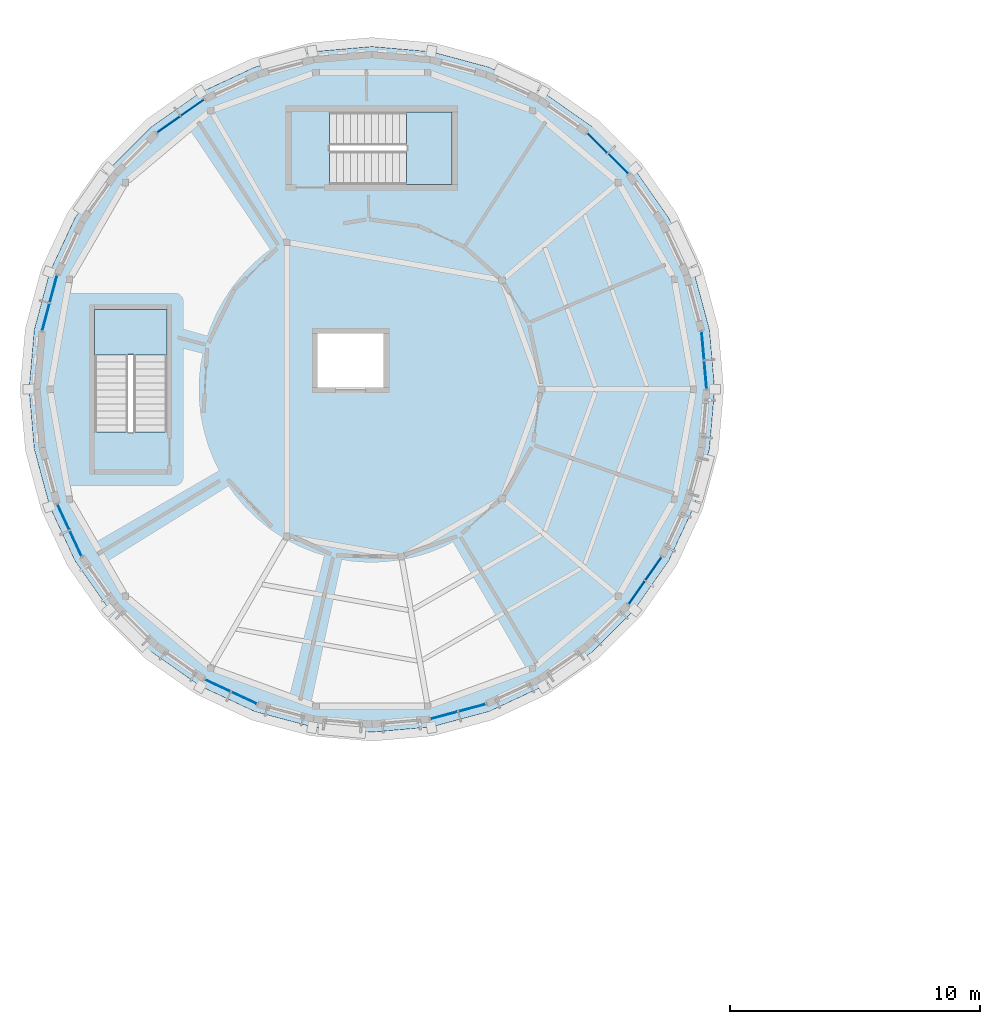
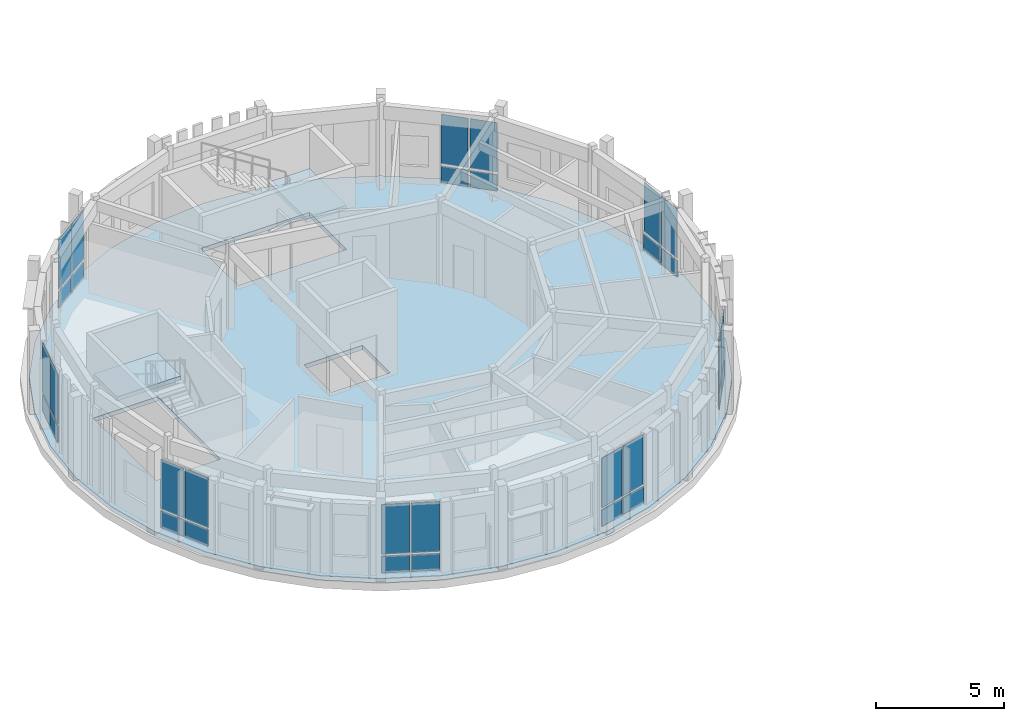
# One storey, part 10 of 30: 32 plates, 3 slabs, 10 elements without a shape of their own.
"""IFC4 building model written with IfcOpenShell, lengths in metres."""

from ifc_helpers import new_model, si_unit, direction, frame, origin, origin_2d, place, context, subcontext, project, spatial, polyline, rectangle, outline, extrude, material, layer, layer_set, type_object, element, aggregate, save


model = new_model("IFC4")

# Units and contexts
model_context = context("Model", 3, precision=1e-05, world=origin(), true_north=direction((0.0, 1.0)))
body_context = subcontext(model_context, "Body", "Model", "MODEL_VIEW")
ifc_project = project(units=[si_unit("LENGTHUNIT", "METRE"), si_unit("AREAUNIT", "SQUARE_METRE"), si_unit("VOLUMEUNIT", "CUBIC_METRE"), si_unit("PLANEANGLEUNIT", "RADIAN"), si_unit("MASSUNIT", "GRAM", prefix="KILO")], contexts=[model_context])

# Site, building, storey
site_placement = place(None, origin())
site = spatial("IfcSite", under=ifc_project, at=site_placement, CompositionType="ELEMENT")
building_placement = place(site_placement, origin())
building = spatial("IfcBuilding", under=site, at=building_placement, Name="Aldenvaro Health Centre", CompositionType="ELEMENT")
storey_placement = place(building_placement, frame((0.0, 0.0, 17.14990234375)))
storey = spatial("IfcBuildingStorey", under=building, at=storey_placement, Name="L04", CompositionType="ELEMENT", Elevation=17.14990234375)

# Curtain wall, plates
ifc_material_1 = material(Name="Anodised Aluminium 6063-T6", Category="aluminium")
ifc_layer_1 = layer(ifc_material_1, 0.22509765625, Name="Anodised Aluminium 6063-T6", Category="aluminium")
ifc_layer_set_1 = layer_set([ifc_layer_1], Name="Anodised Aluminium 6063-T6")
curtain_wall_type = type_object("IfcCurtainWallType", Name="CW-TER-04", PredefinedType="NOTDEFINED", material=ifc_layer_set_1)
curtain_wall_1_placement = place(storey_placement, origin())
curtain_wall_1 = element("IfcCurtainWall", 1, at=curtain_wall_1_placement, inside=storey, type_object=curtain_wall_type, Name="D4 L04 curtain wall bay 04", PredefinedType="NOTDEFINED")
ifc_material_2 = material(Name="Low-E Double Glazing IGU", Category="glass")
ifc_layer_2 = layer(ifc_material_2, 0.028076171875, Name="Low-E Double Glazing IGU", Category="glass")
ifc_layer_set_2 = layer_set([ifc_layer_2], Name="Low-E Double Glazing IGU")
plate_type_1 = type_object("IfcPlateType", Name="CWP-IGU-28", PredefinedType="CURTAIN_PANEL", material=ifc_layer_set_2)
plate_1_placement = place(storey_placement, frame((29.77001953125, 92.322021484375, 0.95947265625), z_axis=(0.0, 0.0, 1.0), x_axis=(-0.573720929857, -0.819050849853, 0.0)))
plate_1 = element("IfcPlate", 2, at=plate_1_placement, type_object=plate_type_1, Name="D4 L04 curtain wall bay 04 vision glazing 1", PredefinedType="CURTAIN_PANEL", context=body_context, shape_type="SweptSolid", body=[
    extrude(rectangle(XDim=1.097900390625, YDim=0.028076171875, at=origin_2d()), origin(), (0.0, 0.0, 1.0), 2.34912109375),
])
plate_2_placement = place(storey_placement, frame((29.10009765625, 91.364990234375, 0.95947265625), z_axis=(0.0, 0.0, 1.0), x_axis=(-0.573720929857, -0.819050849853, 0.0)))
plate_2 = element("IfcPlate", 3, at=plate_2_placement, type_object=plate_type_1, Name="D4 L04 curtain wall bay 04 vision glazing 2", PredefinedType="CURTAIN_PANEL", context=body_context, shape_type="SweptSolid", body=[
    extrude(rectangle(XDim=1.097900390625, YDim=0.028076171875, at=origin_2d()), origin(), (0.0, 0.0, 1.0), 2.34912109375),
])

curtain_wall_2_placement = place(storey_placement, origin())
curtain_wall_2 = element("IfcCurtainWall", 4, at=curtain_wall_2_placement, inside=storey, type_object=curtain_wall_type, Name="D4 L04 curtain wall bay 08", PredefinedType="NOTDEFINED")
plate_3_placement = place(storey_placement, frame((22.51904296875, 86.757080078125, 0.95947265625), z_axis=(0.0, 0.0, 1.0), x_axis=(-0.965978620089, -0.258621935517, 0.0)))
plate_3 = element("IfcPlate", 5, at=plate_3_placement, type_object=plate_type_1, Name="D4 L04 curtain wall bay 08 vision glazing 1", PredefinedType="CURTAIN_PANEL", context=body_context, shape_type="SweptSolid", body=[
    extrude(rectangle(XDim=1.097900390625, YDim=0.028076171875, at=origin_2d()), origin(), (0.0, 0.0, 1.0), 2.34912109375),
])
plate_4_placement = place(storey_placement, frame((21.39111328125, 86.455078125, 0.95947265625), z_axis=(0.0, 0.0, 1.0), x_axis=(-0.965978620089, -0.258621935517, 0.0)))
plate_4 = element("IfcPlate", 6, at=plate_4_placement, type_object=plate_type_1, Name="D4 L04 curtain wall bay 08 vision glazing 2", PredefinedType="CURTAIN_PANEL", context=body_context, shape_type="SweptSolid", body=[
    extrude(rectangle(XDim=1.097900390625, YDim=0.028076171875, at=origin_2d()), origin(), (0.0, 0.0, 1.0), 2.34912109375),
])

curtain_wall_3_placement = place(storey_placement, origin())
curtain_wall_3 = element("IfcCurtainWall", 7, at=curtain_wall_3_placement, inside=storey, type_object=curtain_wall_type, Name="D4 L04 curtain wall bay 12", PredefinedType="NOTDEFINED")
plate_5_placement = place(storey_placement, frame((13.387939453125, 87.155029296875, 0.95947265625), z_axis=(0.0, 0.0, 1.0), x_axis=(-0.90633620484, 0.422557314215, 0.0)))
plate_5 = element("IfcPlate", 8, at=plate_5_placement, type_object=plate_type_1, Name="D4 L04 curtain wall bay 12 vision glazing 1", PredefinedType="CURTAIN_PANEL", context=body_context, shape_type="SweptSolid", body=[
    extrude(rectangle(XDim=1.097900390625, YDim=0.028076171875, at=origin_2d()), origin(), (0.0, 0.0, 1.0), 2.34912109375),
])
plate_6_placement = place(storey_placement, frame((12.3291015625, 87.64794921875, 0.95947265625), z_axis=(0.0, 0.0, 1.0), x_axis=(-0.90633620484, 0.422557314215, 0.0)))
plate_6 = element("IfcPlate", 9, at=plate_6_placement, type_object=plate_type_1, Name="D4 L04 curtain wall bay 12 vision glazing 2", PredefinedType="CURTAIN_PANEL", context=body_context, shape_type="SweptSolid", body=[
    extrude(rectangle(XDim=1.097900390625, YDim=0.028076171875, at=origin_2d()), origin(), (0.0, 0.0, 1.0), 2.34912109375),
])

curtain_wall_4_placement = place(storey_placement, origin())
curtain_wall_4 = element("IfcCurtainWall", 10, at=curtain_wall_4_placement, inside=storey, type_object=curtain_wall_type, Name="D4 L04 curtain wall bay 16", PredefinedType="NOTDEFINED")
plate_7_placement = place(storey_placement, frame((6.64794921875, 93.3291015625, 0.95947265625), z_axis=(0.0, 0.0, 1.0), x_axis=(-0.422557314215, 0.90633620484, 0.0)))
plate_7 = element("IfcPlate", 11, at=plate_7_placement, type_object=plate_type_1, Name="D4 L04 curtain wall bay 16 vision glazing 1", PredefinedType="CURTAIN_PANEL", context=body_context, shape_type="SweptSolid", body=[
    extrude(rectangle(XDim=1.097900390625, YDim=0.028076171875, at=origin_2d()), origin(), (0.0, 0.0, 1.0), 2.34912109375),
])
plate_8_placement = place(storey_placement, frame((6.155029296875, 94.387939453125, 0.95947265625), z_axis=(0.0, 0.0, 1.0), x_axis=(-0.422557314215, 0.90633620484, 0.0)))
plate_8 = element("IfcPlate", 12, at=plate_8_placement, type_object=plate_type_1, Name="D4 L04 curtain wall bay 16 vision glazing 2", PredefinedType="CURTAIN_PANEL", context=body_context, shape_type="SweptSolid", body=[
    extrude(rectangle(XDim=1.097900390625, YDim=0.028076171875, at=origin_2d()), origin(), (0.0, 0.0, 1.0), 2.34912109375),
])

curtain_wall_5_placement = place(storey_placement, origin())
curtain_wall_5 = element("IfcCurtainWall", 13, at=curtain_wall_5_placement, inside=storey, type_object=curtain_wall_type, Name="D4 L04 curtain wall bay 20", PredefinedType="NOTDEFINED")
plate_9_placement = place(storey_placement, frame((5.455078125, 102.39111328125, 0.95947265625), z_axis=(0.0, 0.0, 1.0), x_axis=(0.258621935517, 0.965978620089, 0.0)))
plate_9 = element("IfcPlate", 14, at=plate_9_placement, type_object=plate_type_1, Name="D4 L04 curtain wall bay 20 vision glazing 1", PredefinedType="CURTAIN_PANEL", context=body_context, shape_type="SweptSolid", body=[
    extrude(rectangle(XDim=1.097900390625, YDim=0.028076171875, at=origin_2d()), origin(), (0.0, 0.0, 1.0), 2.34912109375),
])
plate_10_placement = place(storey_placement, frame((5.757080078125, 103.51904296875, 0.95947265625), z_axis=(0.0, 0.0, 1.0), x_axis=(0.258621935517, 0.965978620089, 0.0)))
plate_10 = element("IfcPlate", 15, at=plate_10_placement, type_object=plate_type_1, Name="D4 L04 curtain wall bay 20 vision glazing 2", PredefinedType="CURTAIN_PANEL", context=body_context, shape_type="SweptSolid", body=[
    extrude(rectangle(XDim=1.097900390625, YDim=0.028076171875, at=origin_2d()), origin(), (0.0, 0.0, 1.0), 2.34912109375),
])

curtain_wall_6_placement = place(storey_placement, origin())
curtain_wall_6 = element("IfcCurtainWall", 16, at=curtain_wall_6_placement, inside=storey, type_object=curtain_wall_type, Name="D4 L04 curtain wall bay 24", PredefinedType="NOTDEFINED")
plate_11_placement = place(storey_placement, frame((10.364990234375, 110.10009765625, 0.95947265625), z_axis=(0.0, 0.0, 1.0), x_axis=(0.819050849853, 0.573720929857, 0.0)))
plate_11 = element("IfcPlate", 17, at=plate_11_placement, type_object=plate_type_1, Name="D4 L04 curtain wall bay 24 vision glazing 1", PredefinedType="CURTAIN_PANEL", context=body_context, shape_type="SweptSolid", body=[
    extrude(rectangle(XDim=1.097900390625, YDim=0.028076171875, at=origin_2d()), origin(), (0.0, 0.0, 1.0), 2.34912109375),
])
plate_12_placement = place(storey_placement, frame((11.322021484375, 110.77001953125, 0.95947265625), z_axis=(0.0, 0.0, 1.0), x_axis=(0.819050849853, 0.573720929857, 0.0)))
plate_12 = element("IfcPlate", 18, at=plate_12_placement, type_object=plate_type_1, Name="D4 L04 curtain wall bay 24 vision glazing 2", PredefinedType="CURTAIN_PANEL", context=body_context, shape_type="SweptSolid", body=[
    extrude(rectangle(XDim=1.097900390625, YDim=0.028076171875, at=origin_2d()), origin(), (0.0, 0.0, 1.0), 2.34912109375),
])

curtain_wall_7_placement = place(storey_placement, origin())
curtain_wall_7 = element("IfcCurtainWall", 19, at=curtain_wall_7_placement, inside=storey, type_object=curtain_wall_type, Name="D4 L04 curtain wall bay 32", PredefinedType="NOTDEFINED")
plate_13_placement = place(storey_placement, frame((27.52587890625, 109.35205078125, 0.95947265625), z_axis=(0.0, 0.0, 1.0), x_axis=(0.707106781187, -0.707106781187, 0.0)))
plate_13 = element("IfcPlate", 20, at=plate_13_placement, type_object=plate_type_1, Name="D4 L04 curtain wall bay 32 vision glazing 1", PredefinedType="CURTAIN_PANEL", context=body_context, shape_type="SweptSolid", body=[
    extrude(rectangle(XDim=1.097900390625, YDim=0.028076171875, at=origin_2d()), origin(), (0.0, 0.0, 1.0), 2.34912109375),
])
plate_14_placement = place(storey_placement, frame((28.35205078125, 108.52587890625, 0.95947265625), z_axis=(0.0, 0.0, 1.0), x_axis=(0.707106781187, -0.707106781187, 0.0)))
plate_14 = element("IfcPlate", 21, at=plate_14_placement, type_object=plate_type_1, Name="D4 L04 curtain wall bay 32 vision glazing 2", PredefinedType="CURTAIN_PANEL", context=body_context, shape_type="SweptSolid", body=[
    extrude(rectangle(XDim=1.097900390625, YDim=0.028076171875, at=origin_2d()), origin(), (0.0, 0.0, 1.0), 2.34912109375),
])

curtain_wall_8_placement = place(storey_placement, origin())
curtain_wall_8 = element("IfcCurtainWall", 22, at=curtain_wall_8_placement, inside=storey, type_object=curtain_wall_type, Name="D4 L04 curtain wall bay 36", PredefinedType="NOTDEFINED")
plate_15_placement = place(storey_placement, frame((31.7470703125, 101.2451171875, 0.95947265625), z_axis=(0.0, 0.0, 1.0), x_axis=(0.087331575855, -0.996179299052, 0.0)))
plate_15 = element("IfcPlate", 23, at=plate_15_placement, type_object=plate_type_1, Name="D4 L04 curtain wall bay 36 vision glazing 1", PredefinedType="CURTAIN_PANEL", context=body_context, shape_type="SweptSolid", body=[
    extrude(rectangle(XDim=1.097900390625, YDim=0.028076171875, at=origin_2d()), origin(), (0.0, 0.0, 1.0), 2.34912109375),
])
plate_16_placement = place(storey_placement, frame((31.84912109375, 100.08203125, 0.95947265625), z_axis=(0.0, 0.0, 1.0), x_axis=(0.087331575855, -0.996179299052, 0.0)))
plate_16 = element("IfcPlate", 24, at=plate_16_placement, type_object=plate_type_1, Name="D4 L04 curtain wall bay 36 vision glazing 2", PredefinedType="CURTAIN_PANEL", context=body_context, shape_type="SweptSolid", body=[
    extrude(rectangle(XDim=1.097900390625, YDim=0.028076171875, at=origin_2d()), origin(), (0.0, 0.0, 1.0), 2.34912109375),
])

# Plate
ifc_material_3 = material(Name="Insulated Aluminium Spandrel", Category="aluminium")
ifc_layer_3 = layer(ifc_material_3, 0.035888671875, Name="Insulated Aluminium Spandrel", Category="aluminium")
ifc_layer_set_3 = layer_set([ifc_layer_3], Name="Insulated Aluminium Spandrel")
plate_type_2 = type_object("IfcPlateType", Name="CWP-SPN-36", PredefinedType="CURTAIN_PANEL", material=ifc_layer_set_3)
plate_17_placement = place(storey_placement, frame((29.77001953125, 92.322021484375, 0.06005859375), z_axis=(0.0, 0.0, 1.0), x_axis=(-0.573720929857, -0.819050849853, 0.0)))
plate_17 = element("IfcPlate", 25, at=plate_17_placement, type_object=plate_type_2, Name="D4 L04 curtain wall bay 04 spandrel panel 1", PredefinedType="CURTAIN_PANEL", context=body_context, shape_type="SweptSolid", body=[
    extrude(rectangle(XDim=1.097900390625, YDim=0.035888671875, at=origin_2d()), origin(), (0.0, 0.0, 1.0), 0.780029296875),
])

plate_18_placement = place(storey_placement, frame((29.10009765625, 91.364990234375, 0.06005859375), z_axis=(0.0, 0.0, 1.0), x_axis=(-0.573720929857, -0.819050849853, 0.0)))
plate_18 = element("IfcPlate", 26, at=plate_18_placement, type_object=plate_type_2, Name="D4 L04 curtain wall bay 04 spandrel panel 2", PredefinedType="CURTAIN_PANEL", context=body_context, shape_type="SweptSolid", body=[
    extrude(rectangle(XDim=1.097900390625, YDim=0.035888671875, at=origin_2d()), origin(), (0.0, 0.0, 1.0), 0.780029296875),
])

aggregate(curtain_wall_1, [plate_17, plate_1, plate_18, plate_2])

plate_19_placement = place(storey_placement, frame((22.51904296875, 86.757080078125, 0.06005859375), z_axis=(0.0, 0.0, 1.0), x_axis=(-0.965978620089, -0.258621935517, 0.0)))
plate_19 = element("IfcPlate", 27, at=plate_19_placement, type_object=plate_type_2, Name="D4 L04 curtain wall bay 08 spandrel panel 1", PredefinedType="CURTAIN_PANEL", context=body_context, shape_type="SweptSolid", body=[
    extrude(rectangle(XDim=1.097900390625, YDim=0.035888671875, at=origin_2d()), origin(), (0.0, 0.0, 1.0), 0.780029296875),
])

plate_20_placement = place(storey_placement, frame((21.39111328125, 86.455078125, 0.06005859375), z_axis=(0.0, 0.0, 1.0), x_axis=(-0.965978620089, -0.258621935517, 0.0)))
plate_20 = element("IfcPlate", 28, at=plate_20_placement, type_object=plate_type_2, Name="D4 L04 curtain wall bay 08 spandrel panel 2", PredefinedType="CURTAIN_PANEL", context=body_context, shape_type="SweptSolid", body=[
    extrude(rectangle(XDim=1.097900390625, YDim=0.035888671875, at=origin_2d()), origin(), (0.0, 0.0, 1.0), 0.780029296875),
])

aggregate(curtain_wall_2, [plate_19, plate_3, plate_20, plate_4])

plate_21_placement = place(storey_placement, frame((13.387939453125, 87.155029296875, 0.06005859375), z_axis=(0.0, 0.0, 1.0), x_axis=(-0.90633620484, 0.422557314215, 0.0)))
plate_21 = element("IfcPlate", 29, at=plate_21_placement, type_object=plate_type_2, Name="D4 L04 curtain wall bay 12 spandrel panel 1", PredefinedType="CURTAIN_PANEL", context=body_context, shape_type="SweptSolid", body=[
    extrude(rectangle(XDim=1.097900390625, YDim=0.035888671875, at=origin_2d()), origin(), (0.0, 0.0, 1.0), 0.780029296875),
])

plate_22_placement = place(storey_placement, frame((12.3291015625, 87.64794921875, 0.06005859375), z_axis=(0.0, 0.0, 1.0), x_axis=(-0.90633620484, 0.422557314215, 0.0)))
plate_22 = element("IfcPlate", 30, at=plate_22_placement, type_object=plate_type_2, Name="D4 L04 curtain wall bay 12 spandrel panel 2", PredefinedType="CURTAIN_PANEL", context=body_context, shape_type="SweptSolid", body=[
    extrude(rectangle(XDim=1.097900390625, YDim=0.035888671875, at=origin_2d()), origin(), (0.0, 0.0, 1.0), 0.780029296875),
])

aggregate(curtain_wall_3, [plate_21, plate_5, plate_22, plate_6])

plate_23_placement = place(storey_placement, frame((6.64794921875, 93.3291015625, 0.06005859375), z_axis=(0.0, 0.0, 1.0), x_axis=(-0.422557314215, 0.90633620484, 0.0)))
plate_23 = element("IfcPlate", 31, at=plate_23_placement, type_object=plate_type_2, Name="D4 L04 curtain wall bay 16 spandrel panel 1", PredefinedType="CURTAIN_PANEL", context=body_context, shape_type="SweptSolid", body=[
    extrude(rectangle(XDim=1.097900390625, YDim=0.035888671875, at=origin_2d()), origin(), (0.0, 0.0, 1.0), 0.780029296875),
])

plate_24_placement = place(storey_placement, frame((6.155029296875, 94.387939453125, 0.06005859375), z_axis=(0.0, 0.0, 1.0), x_axis=(-0.422557314215, 0.90633620484, 0.0)))
plate_24 = element("IfcPlate", 32, at=plate_24_placement, type_object=plate_type_2, Name="D4 L04 curtain wall bay 16 spandrel panel 2", PredefinedType="CURTAIN_PANEL", context=body_context, shape_type="SweptSolid", body=[
    extrude(rectangle(XDim=1.097900390625, YDim=0.035888671875, at=origin_2d()), origin(), (0.0, 0.0, 1.0), 0.780029296875),
])

aggregate(curtain_wall_4, [plate_23, plate_7, plate_24, plate_8])

plate_25_placement = place(storey_placement, frame((5.455078125, 102.39111328125, 0.06005859375), z_axis=(0.0, 0.0, 1.0), x_axis=(0.258621935517, 0.965978620089, 0.0)))
plate_25 = element("IfcPlate", 33, at=plate_25_placement, type_object=plate_type_2, Name="D4 L04 curtain wall bay 20 spandrel panel 1", PredefinedType="CURTAIN_PANEL", context=body_context, shape_type="SweptSolid", body=[
    extrude(rectangle(XDim=1.097900390625, YDim=0.035888671875, at=origin_2d()), origin(), (0.0, 0.0, 1.0), 0.780029296875),
])

plate_26_placement = place(storey_placement, frame((5.757080078125, 103.51904296875, 0.06005859375), z_axis=(0.0, 0.0, 1.0), x_axis=(0.258621935517, 0.965978620089, 0.0)))
plate_26 = element("IfcPlate", 34, at=plate_26_placement, type_object=plate_type_2, Name="D4 L04 curtain wall bay 20 spandrel panel 2", PredefinedType="CURTAIN_PANEL", context=body_context, shape_type="SweptSolid", body=[
    extrude(rectangle(XDim=1.097900390625, YDim=0.035888671875, at=origin_2d()), origin(), (0.0, 0.0, 1.0), 0.780029296875),
])

aggregate(curtain_wall_5, [plate_25, plate_9, plate_26, plate_10])

plate_27_placement = place(storey_placement, frame((10.364990234375, 110.10009765625, 0.06005859375), z_axis=(0.0, 0.0, 1.0), x_axis=(0.819050849853, 0.573720929857, 0.0)))
plate_27 = element("IfcPlate", 35, at=plate_27_placement, type_object=plate_type_2, Name="D4 L04 curtain wall bay 24 spandrel panel 1", PredefinedType="CURTAIN_PANEL", context=body_context, shape_type="SweptSolid", body=[
    extrude(rectangle(XDim=1.097900390625, YDim=0.035888671875, at=origin_2d()), origin(), (0.0, 0.0, 1.0), 0.780029296875),
])

plate_28_placement = place(storey_placement, frame((11.322021484375, 110.77001953125, 0.06005859375), z_axis=(0.0, 0.0, 1.0), x_axis=(0.819050849853, 0.573720929857, 0.0)))
plate_28 = element("IfcPlate", 36, at=plate_28_placement, type_object=plate_type_2, Name="D4 L04 curtain wall bay 24 spandrel panel 2", PredefinedType="CURTAIN_PANEL", context=body_context, shape_type="SweptSolid", body=[
    extrude(rectangle(XDim=1.097900390625, YDim=0.035888671875, at=origin_2d()), origin(), (0.0, 0.0, 1.0), 0.780029296875),
])

aggregate(curtain_wall_6, [plate_27, plate_11, plate_28, plate_12])

plate_29_placement = place(storey_placement, frame((27.52587890625, 109.35205078125, 0.06005859375), z_axis=(0.0, 0.0, 1.0), x_axis=(0.707106781187, -0.707106781187, 0.0)))
plate_29 = element("IfcPlate", 37, at=plate_29_placement, type_object=plate_type_2, Name="D4 L04 curtain wall bay 32 spandrel panel 1", PredefinedType="CURTAIN_PANEL", context=body_context, shape_type="SweptSolid", body=[
    extrude(rectangle(XDim=1.097900390625, YDim=0.035888671875, at=origin_2d()), origin(), (0.0, 0.0, 1.0), 0.780029296875),
])

plate_30_placement = place(storey_placement, frame((28.35205078125, 108.52587890625, 0.06005859375), z_axis=(0.0, 0.0, 1.0), x_axis=(0.707106781187, -0.707106781187, 0.0)))
plate_30 = element("IfcPlate", 38, at=plate_30_placement, type_object=plate_type_2, Name="D4 L04 curtain wall bay 32 spandrel panel 2", PredefinedType="CURTAIN_PANEL", context=body_context, shape_type="SweptSolid", body=[
    extrude(rectangle(XDim=1.097900390625, YDim=0.035888671875, at=origin_2d()), origin(), (0.0, 0.0, 1.0), 0.780029296875),
])

aggregate(curtain_wall_7, [plate_29, plate_13, plate_30, plate_14])

plate_31_placement = place(storey_placement, frame((31.7470703125, 101.2451171875, 0.06005859375), z_axis=(0.0, 0.0, 1.0), x_axis=(0.087331575855, -0.996179299052, 0.0)))
plate_31 = element("IfcPlate", 39, at=plate_31_placement, type_object=plate_type_2, Name="D4 L04 curtain wall bay 36 spandrel panel 1", PredefinedType="CURTAIN_PANEL", context=body_context, shape_type="SweptSolid", body=[
    extrude(rectangle(XDim=1.097900390625, YDim=0.035888671875, at=origin_2d()), origin(), (0.0, 0.0, 1.0), 0.780029296875),
])

plate_32_placement = place(storey_placement, frame((31.84912109375, 100.08203125, 0.06005859375), z_axis=(0.0, 0.0, 1.0), x_axis=(0.087331575855, -0.996179299052, 0.0)))
plate_32 = element("IfcPlate", 40, at=plate_32_placement, type_object=plate_type_2, Name="D4 L04 curtain wall bay 36 spandrel panel 2", PredefinedType="CURTAIN_PANEL", context=body_context, shape_type="SweptSolid", body=[
    extrude(rectangle(XDim=1.097900390625, YDim=0.035888671875, at=origin_2d()), origin(), (0.0, 0.0, 1.0), 0.780029296875),
])

aggregate(curtain_wall_8, [plate_31, plate_15, plate_32, plate_16])

# Slab
ifc_material_4 = material(Name="Cross-laminated timber CLT E1", Category="wood")
ifc_layer_4 = layer(ifc_material_4, 0.205078125, Name="Cross-laminated timber CLT E1", Category="wood")
ifc_layer_set_4 = layer_set([ifc_layer_4], Name="Cross-laminated timber CLT E1")
slab_type_1 = type_object("IfcSlabType", Name="SLB-CLT-205", PredefinedType="FLOOR", material=ifc_layer_set_4)
slab_1_placement = place(storey_placement, frame((0.0, 0.0, -0.204833984375)))
element("IfcSlab", 41, at=slab_1_placement, inside=storey, type_object=slab_type_1, Name="D4 L04 floor slab", PredefinedType="FLOOR", context=body_context, shape_type="SweptSolid", body=[
    extrude(outline(polyline([(32.219970703125, 99.5), (32.011962890625, 101.882080078125), (31.39306640625, 104.193115234375), (30.382080078125, 106.360107421875), (29.010009765625, 108.319091796875), (27.319091796875, 110.010009765625), (25.360107421875, 111.382080078125), (23.193115234375, 112.39306640625), (20.882080078125, 113.011962890625), (18.5, 113.219970703125), (16.117919921875, 113.011962890625), (13.806884765625, 112.39306640625), (11.639892578125, 111.382080078125), (9.680908203125, 110.010009765625), (7.989990234375, 108.319091796875), (6.617919921875, 106.360107421875), (5.60693359375, 104.193115234375), (4.988037109375, 101.882080078125), (4.780029296875, 99.5), (4.988037109375, 97.117919921875), (5.60693359375, 94.806884765625), (6.617919921875, 92.639892578125), (7.989990234375, 90.680908203125), (9.680908203125, 88.989990234375), (11.639892578125, 87.617919921875), (13.806884765625, 86.60693359375), (16.117919921875, 85.988037109375), (18.5, 85.780029296875), (20.882080078125, 85.988037109375), (23.193115234375, 86.60693359375), (25.360107421875, 87.617919921875), (27.319091796875, 88.989990234375), (29.010009765625, 90.680908203125), (30.382080078125, 92.639892578125), (31.39306640625, 94.806884765625), (32.011962890625, 97.117919921875), (32.219970703125, 99.5)]), holes=[polyline([(16.800048828125, 107.699951171875), (21.699951171875, 107.699951171875), (21.699951171875, 110.60009765625), (16.800048828125, 110.60009765625), (16.800048828125, 107.699951171875)]), polyline([(10.300048828125, 97.800048828125), (10.300048828125, 102.699951171875), (7.39990234375, 102.699951171875), (7.39990234375, 97.800048828125), (10.300048828125, 97.800048828125)]), polyline([(16.324951171875, 99.574951171875), (18.97509765625, 99.574951171875), (18.97509765625, 101.72509765625), (16.324951171875, 101.72509765625), (16.324951171875, 99.574951171875)])]), origin(), (0.0, 0.0, 1.0), 0.204833984375),
])

# Stair, slab
ifc_material_5 = material(Name="Concrete f'c 40 MPa", Category="concrete")
stair_type = type_object("IfcStairType", Name="STR-DOG-420", PredefinedType="HALF_TURN_STAIR", material=ifc_material_5)
stair_1_placement = place(storey_placement, origin())
stair_1 = element("IfcStair", 42, at=stair_1_placement, inside=storey, type_object=stair_type, Name="L04 Exit Stair ST-07", PredefinedType="HALF_TURN_STAIR")
ifc_layer_5 = layer(ifc_material_5, 0.199951171875, Name="Concrete f'c 40 MPa", Category="concrete")
ifc_layer_set_5 = layer_set([ifc_layer_5], Name="Concrete f'c 40 MPa")
slab_type_2 = type_object("IfcSlabType", Name="SLB-LND-200", PredefinedType="LANDING", material=ifc_layer_set_5)
slab_2_placement = place(storey_placement, frame((0.0, 0.0, 1.900146484375)))
slab_2 = element("IfcSlab", 43, at=slab_2_placement, type_object=slab_type_2, Name="ST-07 landing 1", PredefinedType="LANDING", context=body_context, shape_type="SweptSolid", body=[
    extrude(outline(polyline([(19.8798828125, 107.699951171875), (21.699951171875, 107.699951171875), (21.699951171875, 110.60009765625), (19.8798828125, 110.60009765625), (19.8798828125, 107.699951171875)])), origin(), (0.0, 0.0, 1.0), 0.199951171875),
])
aggregate(stair_1, [slab_2])

stair_2_placement = place(storey_placement, origin())
stair_2 = element("IfcStair", 44, at=stair_2_placement, inside=storey, type_object=stair_type, Name="L04 Exit Stair ST-08", PredefinedType="HALF_TURN_STAIR")
slab_3_placement = place(storey_placement, frame((0.0, 0.0, 1.900146484375)))
slab_3 = element("IfcSlab", 45, at=slab_3_placement, type_object=slab_type_2, Name="ST-08 landing 1", PredefinedType="LANDING", context=body_context, shape_type="SweptSolid", body=[
    extrude(outline(polyline([(10.300048828125, 100.8798828125), (10.300048828125, 102.699951171875), (7.39990234375, 102.699951171875), (7.39990234375, 100.8798828125), (10.300048828125, 100.8798828125)])), origin(), (0.0, 0.0, 1.0), 0.199951171875),
])
aggregate(stair_2, [slab_3])

save(model, "model.ifc")
